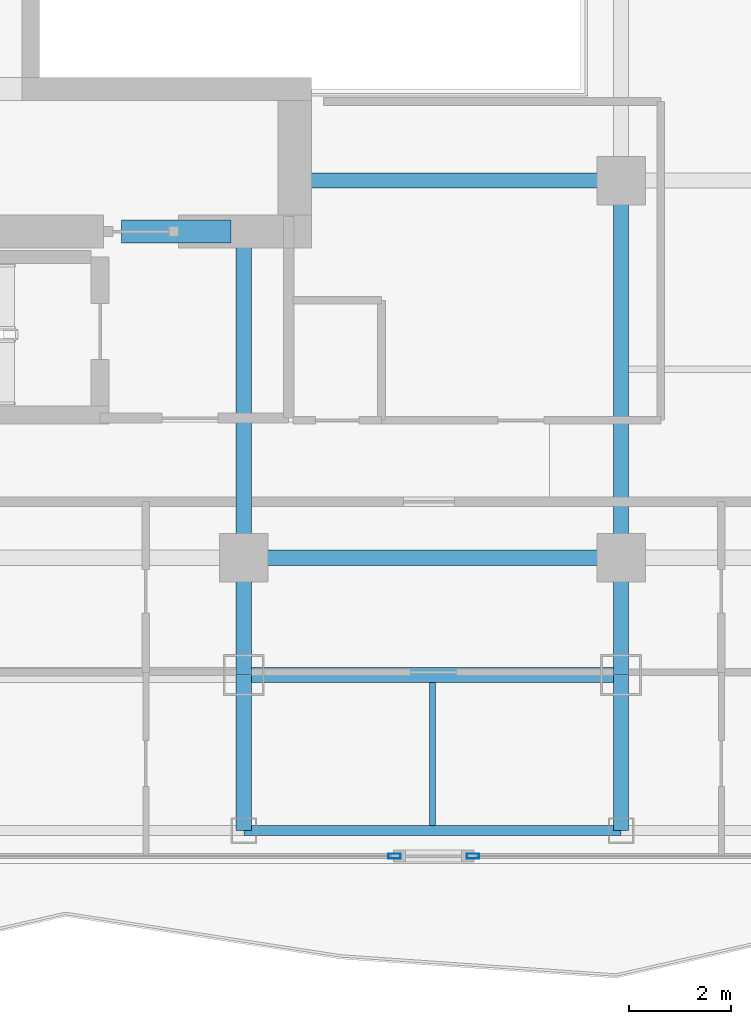
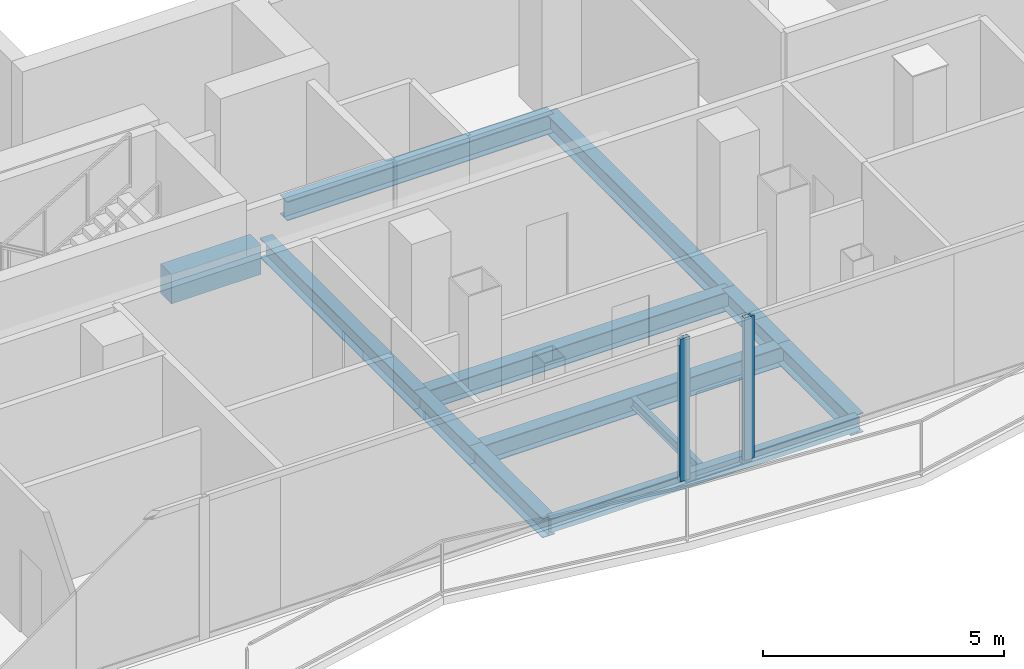
# One storey, part 4 of 22: 12 beams, 2 members, 2 elements without a shape of their own.
"""IFC4 building model written with IfcOpenShell, lengths in metres."""

from ifc_helpers import new_model, si_unit, direction, frame, origin, origin_2d, place, context, subcontext, project, spatial, rectangle, hollow_rectangle, i_section, extrude, material, layer, layer_set, material_profile, profile_set, type_object, element, aggregate, save


model = new_model("IFC4")

# Units and contexts
model_context = context("Model", 3, precision=1e-05, world=origin(), true_north=direction((0.0, 1.0)))
body_context = subcontext(model_context, "Body", "Model", "MODEL_VIEW")
ifc_project = project(units=[si_unit("LENGTHUNIT", "METRE"), si_unit("AREAUNIT", "SQUARE_METRE"), si_unit("VOLUMEUNIT", "CUBIC_METRE"), si_unit("PLANEANGLEUNIT", "RADIAN"), si_unit("MASSUNIT", "GRAM", prefix="KILO")], contexts=[model_context])

# Site, building, storey
site_placement = place(None, origin())
site = spatial("IfcSite", under=ifc_project, at=site_placement, CompositionType="ELEMENT")
building_placement = place(site_placement, origin())
building = spatial("IfcBuilding", under=site, at=building_placement, Name="Khorvyn Point Tower", CompositionType="ELEMENT")
storey_placement = place(building_placement, frame((0.0, 0.0, 282.0)))
storey = spatial("IfcBuildingStorey", under=building, at=storey_placement, Name="L69", CompositionType="ELEMENT", Elevation=282.0)

# Curtain wall, member
ifc_material_1 = material(Name="Anodised aluminium 6063-T6 and laminated Low-E glass", Category="aluminium")
ifc_layer = layer(ifc_material_1, 0.18994140625)
ifc_layer_set = layer_set([ifc_layer], Name="Stick-Built High-Wind Curtain Wall CW-SYS-04")
curtain_wall_type = type_object("IfcCurtainWallType", Name="Stick-Built High-Wind Curtain Wall CW-SYS-04", PredefinedType="NOTDEFINED", material=ifc_layer_set)
curtain_wall_1_placement = place(storey_placement, origin())
curtain_wall_1 = element("IfcCurtainWall", 1, at=curtain_wall_1_placement, inside=storey, type_object=curtain_wall_type, Name="Curtain Wall", PredefinedType="NOTDEFINED")
ifc_material_2 = material(Name="Anodised aluminium 6063-T6", Category="aluminium")
ifc_material_profile_1 = material_profile(ifc_material_2, hollow_rectangle(XDim=0.10009765625, YDim=0.239990234375, WallThickness=0.0048828125, at=origin_2d()))
ifc_profile_set_1 = profile_set([ifc_material_profile_1], Name="Anodised aluminium 6063-T6 ALU-MUL-100x240")
member_type = type_object("IfcMemberType", Name="Anodised Aluminium 6063-T6 Mullion ALU-MUL-100x240", PredefinedType="MULLION", material=ifc_profile_set_1)
member_1_placement = place(storey_placement, frame((11.89404296875, -20.64990234375, 0.0), z_axis=(0.0, 0.0, 1.0), x_axis=(0.0, -1.0, 0.0)))
member_1 = element("IfcMember", 2, at=member_1_placement, type_object=member_type, Name="Transom", PredefinedType="MULLION", context=body_context, shape_type="SweptSolid", body=[
    extrude(hollow_rectangle(XDim=0.10009765625, YDim=0.239990234375, WallThickness=0.0048828125, at=origin_2d()), origin(), (0.0, 0.0, 1.0), 3.6201171875),
])
aggregate(curtain_wall_1, [member_1])

curtain_wall_2_placement = place(storey_placement, origin())
curtain_wall_2 = element("IfcCurtainWall", 3, at=curtain_wall_2_placement, inside=storey, type_object=curtain_wall_type, Name="Curtain Wall", PredefinedType="NOTDEFINED")
member_2_placement = place(storey_placement, frame((10.35400390625, -20.64990234375, 0.0), z_axis=(0.0, 0.0, 1.0), x_axis=(0.0, -1.0, 0.0)))
member_2 = element("IfcMember", 4, at=member_2_placement, type_object=member_type, Name="Transom", PredefinedType="MULLION", context=body_context, shape_type="SweptSolid", body=[
    extrude(hollow_rectangle(XDim=0.10009765625, YDim=0.239990234375, WallThickness=0.0048828125, at=origin_2d()), origin(), (0.0, 0.0, 1.0), 3.6201171875),
])
aggregate(curtain_wall_2, [member_2])

# Beams
ifc_material_3 = material(Name="Concrete C40/50", Category="concrete")
ifc_material_profile_2 = material_profile(ifc_material_3, rectangle(XDim=0.449951171875, YDim=0.75, at=origin_2d()))
ifc_profile_set_2 = profile_set([ifc_material_profile_2], Name="Concrete C40/50 RC450x750")
beam_type_1 = type_object("IfcBeamType", Name="Concrete C40/50 Beam RC450x750", PredefinedType="BEAM", material=ifc_profile_set_2)
beam_1_placement = place(storey_placement, frame((5.0, -8.39990234375, -0.594970703125), z_axis=(1.0, 0.0, 0.0), x_axis=(0.0, 1.0, 0.0)))
element("IfcBeam", 5, at=beam_1_placement, inside=storey, type_object=beam_type_1, Name="L69 Core Southeast Portal Coupling Beam", PredefinedType="BEAM", context=body_context, shape_type="SweptSolid", body=[
    extrude(rectangle(XDim=0.449951171875, YDim=0.75, at=origin_2d()), origin(), (0.0, 0.0, 1.0), 2.14990234375),
])
ifc_material_4 = material(Name="Steel S355", Category="steel")
ifc_material_profile_3 = material_profile(ifc_material_4, i_section(OverallWidth=0.125, OverallDepth=0.25, WebThickness=0.006103515625, FlangeThickness=0.009033203125, at=origin_2d()))
ifc_profile_set_3 = profile_set([ifc_material_profile_3], Name="Steel S355 H250x125x6x9")
beam_type_2 = type_object("IfcBeamType", Name="Steel S355 Joist H250x125x6x9", PredefinedType="JOIST", material=ifc_profile_set_3)
beam_2_placement = place(storey_placement, frame((11.10009765625, -20.050048828125, -0.344970703125), z_axis=(0.0, 1.0, 0.0), x_axis=(-1.0, 0.0, 0.0)))
element("IfcBeam", 6, at=beam_2_placement, inside=storey, type_object=beam_type_2, Name="Beam", PredefinedType="JOIST", context=body_context, shape_type="SweptSolid", body=[
    extrude(i_section(OverallWidth=0.125, OverallDepth=0.25, WebThickness=0.006103515625, FlangeThickness=0.009033203125, at=origin_2d()), origin(), (0.0, 0.0, 1.0), 2.800048828125),
])
ifc_material_profile_4 = material_profile(ifc_material_4, i_section(OverallWidth=0.300048828125, OverallDepth=0.488037109375, WebThickness=0.010986328125, FlangeThickness=0.01806640625, at=origin_2d()))
ifc_profile_set_4 = profile_set([ifc_material_profile_4], Name="Steel S355 H488x300x11x18")
beam_type_3 = type_object("IfcBeamType", Name="Steel S355 Spandrel H488x300x11x18", PredefinedType="SPANDREL", material=ifc_profile_set_4)
beam_3_placement = place(storey_placement, frame((7.39990234375, -14.800048828125, -0.464111328125), z_axis=(1.0, 0.0, 0.0), x_axis=(0.0, 1.0, 0.0)))
element("IfcBeam", 7, at=beam_3_placement, inside=storey, type_object=beam_type_3, Name="Beam", PredefinedType="SPANDREL", context=body_context, shape_type="SweptSolid", body=[
    extrude(i_section(OverallWidth=0.300048828125, OverallDepth=0.488037109375, WebThickness=0.010986328125, FlangeThickness=0.01806640625, at=origin_2d()), origin(), (0.0, 0.0, 1.0), 7.400146484375),
])
beam_4_placement = place(storey_placement, frame((8.39990234375, -7.39990234375, -0.464111328125), z_axis=(1.0, 0.0, 0.0), x_axis=(0.0, 1.0, 0.0)))
element("IfcBeam", 8, at=beam_4_placement, inside=storey, type_object=beam_type_3, Name="Beam", PredefinedType="SPANDREL", context=body_context, shape_type="SweptSolid", body=[
    extrude(i_section(OverallWidth=0.300048828125, OverallDepth=0.488037109375, WebThickness=0.010986328125, FlangeThickness=0.01806640625, at=origin_2d()), origin(), (0.0, 0.0, 1.0), 6.400146484375),
])
beam_5_placement = place(storey_placement, frame((7.39990234375, -17.10009765625, -0.464111328125), z_axis=(1.0, 0.0, 0.0), x_axis=(0.0, 1.0, 0.0)))
element("IfcBeam", 9, at=beam_5_placement, inside=storey, type_object=beam_type_3, Name="Beam", PredefinedType="SPANDREL", context=body_context, shape_type="SweptSolid", body=[
    extrude(i_section(OverallWidth=0.300048828125, OverallDepth=0.488037109375, WebThickness=0.010986328125, FlangeThickness=0.01806640625, at=origin_2d()), origin(), (0.0, 0.0, 1.0), 7.400146484375),
])
beam_6_placement = place(storey_placement, frame((14.800048828125, -20.14990234375, -0.464111328125), z_axis=(0.0, 1.0, 0.0), x_axis=(-1.0, 0.0, 0.0)))
element("IfcBeam", 10, at=beam_6_placement, inside=storey, type_object=beam_type_3, Name="Beam", PredefinedType="SPANDREL", context=body_context, shape_type="SweptSolid", body=[
    extrude(i_section(OverallWidth=0.300048828125, OverallDepth=0.488037109375, WebThickness=0.010986328125, FlangeThickness=0.01806640625, at=origin_2d()), origin(), (0.0, 0.0, 1.0), 3.0498046875),
])
beam_7_placement = place(storey_placement, frame((14.800048828125, -17.10009765625, -0.464111328125), z_axis=(0.0, 1.0, 0.0), x_axis=(-1.0, 0.0, 0.0)))
element("IfcBeam", 11, at=beam_7_placement, inside=storey, type_object=beam_type_3, Name="Beam", PredefinedType="SPANDREL", context=body_context, shape_type="SweptSolid", body=[
    extrude(i_section(OverallWidth=0.300048828125, OverallDepth=0.488037109375, WebThickness=0.010986328125, FlangeThickness=0.01806640625, at=origin_2d()), origin(), (0.0, 0.0, 1.0), 2.300048828125),
])
beam_8_placement = place(storey_placement, frame((14.800048828125, -14.800048828125, -0.464111328125), z_axis=(0.0, 1.0, 0.0), x_axis=(-1.0, 0.0, 0.0)))
element("IfcBeam", 12, at=beam_8_placement, inside=storey, type_object=beam_type_3, Name="Beam", PredefinedType="SPANDREL", context=body_context, shape_type="SweptSolid", body=[
    extrude(i_section(OverallWidth=0.300048828125, OverallDepth=0.488037109375, WebThickness=0.010986328125, FlangeThickness=0.01806640625, at=origin_2d()), origin(), (0.0, 0.0, 1.0), 7.400146484375),
])
beam_9_placement = place(storey_placement, frame((7.39990234375, -20.14990234375, -0.464111328125), z_axis=(0.0, 1.0, 0.0), x_axis=(-1.0, 0.0, 0.0)))
element("IfcBeam", 13, at=beam_9_placement, inside=storey, type_object=beam_type_3, Name="Beam", PredefinedType="SPANDREL", context=body_context, shape_type="SweptSolid", body=[
    extrude(i_section(OverallWidth=0.300048828125, OverallDepth=0.488037109375, WebThickness=0.010986328125, FlangeThickness=0.01806640625, at=origin_2d()), origin(), (0.0, 0.0, 1.0), 3.0498046875),
])
beam_10_placement = place(storey_placement, frame((7.39990234375, -17.10009765625, -0.464111328125), z_axis=(0.0, 1.0, 0.0), x_axis=(-1.0, 0.0, 0.0)))
element("IfcBeam", 14, at=beam_10_placement, inside=storey, type_object=beam_type_3, Name="Beam", PredefinedType="SPANDREL", context=body_context, shape_type="SweptSolid", body=[
    extrude(i_section(OverallWidth=0.300048828125, OverallDepth=0.488037109375, WebThickness=0.010986328125, FlangeThickness=0.01806640625, at=origin_2d()), origin(), (0.0, 0.0, 1.0), 2.300048828125),
])
beam_11_placement = place(storey_placement, frame((7.39990234375, -14.800048828125, -0.464111328125), z_axis=(0.0, 1.0, 0.0), x_axis=(-1.0, 0.0, 0.0)))
element("IfcBeam", 15, at=beam_11_placement, inside=storey, type_object=beam_type_3, Name="Beam", PredefinedType="SPANDREL", context=body_context, shape_type="SweptSolid", body=[
    extrude(i_section(OverallWidth=0.300048828125, OverallDepth=0.488037109375, WebThickness=0.010986328125, FlangeThickness=0.01806640625, at=origin_2d()), origin(), (0.0, 0.0, 1.0), 6.400146484375),
])
ifc_material_profile_5 = material_profile(ifc_material_4, hollow_rectangle(XDim=0.199951171875, YDim=0.35009765625, WallThickness=0.013916015625, at=origin_2d()))
ifc_profile_set_5 = profile_set([ifc_material_profile_5], Name="Steel S355 RHS350x200x14")
beam_type_4 = type_object("IfcBeamType", Name="Steel S355 Spandrel RHS350x200x14", PredefinedType="SPANDREL", material=ifc_profile_set_5)
beam_12_placement = place(storey_placement, frame((7.39990234375, -20.14990234375, -0.39501953125), z_axis=(1.0, 0.0, 0.0), x_axis=(0.0, 1.0, 0.0)))
element("IfcBeam", 16, at=beam_12_placement, inside=storey, type_object=beam_type_4, Name="Beam", PredefinedType="SPANDREL", context=body_context, shape_type="SweptSolid", body=[
    extrude(hollow_rectangle(XDim=0.199951171875, YDim=0.35009765625, WallThickness=0.013916015625, at=origin_2d()), origin(), (0.0, 0.0, 1.0), 7.400146484375),
])

save(model, "model.ifc")
